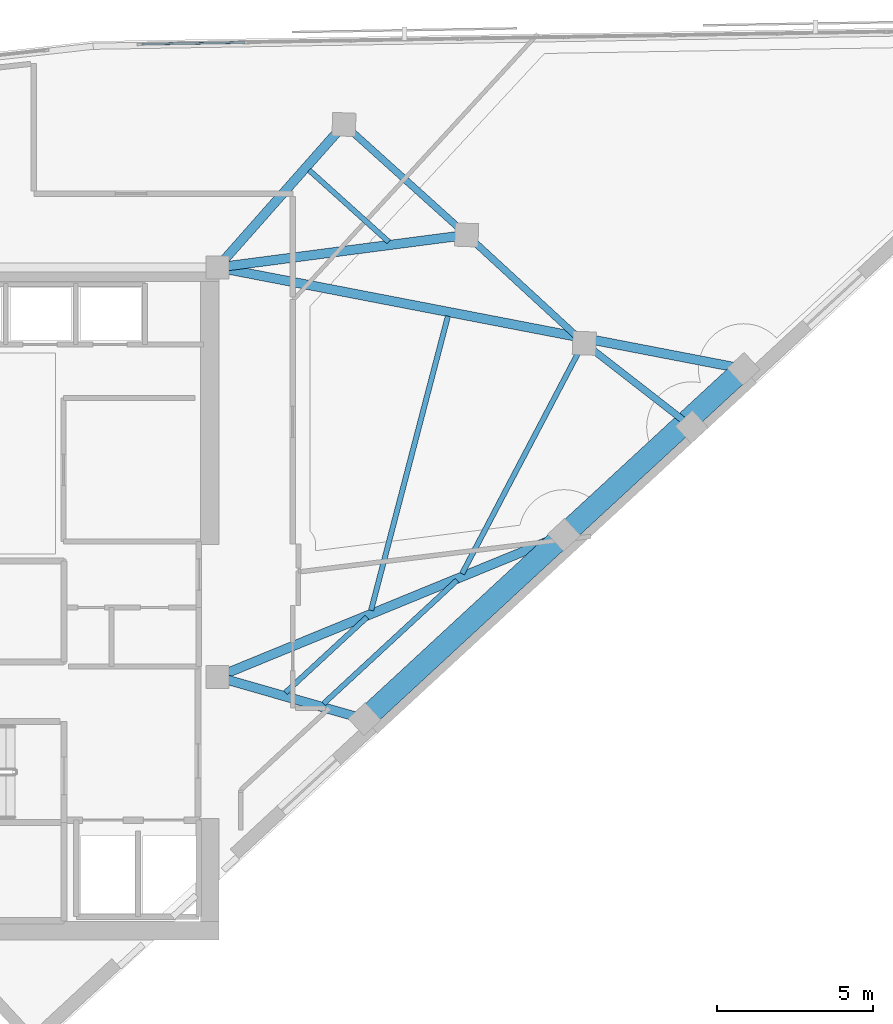
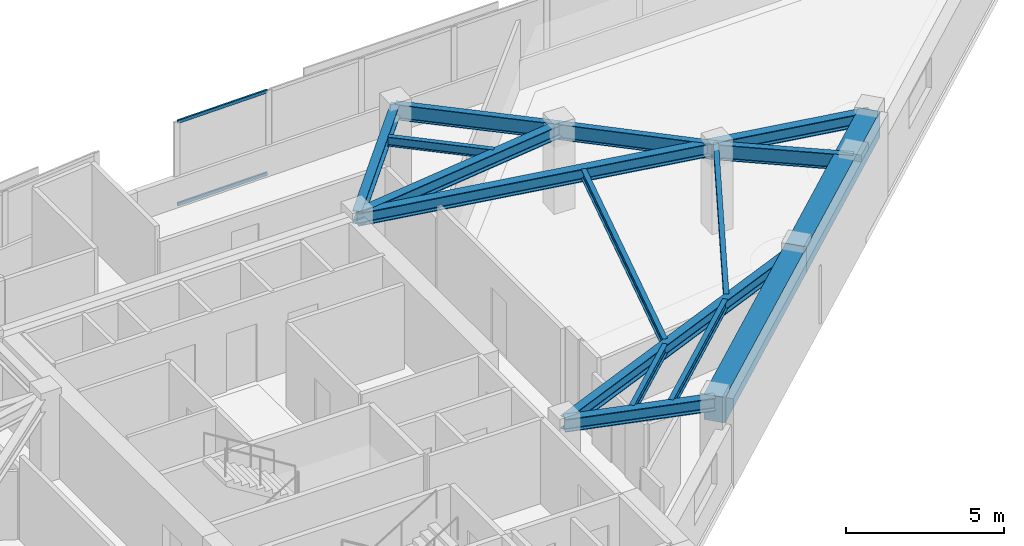
# One storey, part 4 of 12: 15 beams, 2 members, 1 element without a shape of its own.
"""IFC4 building model written with IfcOpenShell, lengths in metres."""

from ifc_helpers import new_model, si_unit, direction, frame, origin, origin_2d, place, context, subcontext, project, spatial, rectangle, hollow_rectangle, i_section, extrude, material, material_profile, profile_set, type_object, element, aggregate, save


model = new_model("IFC4")

# Units and contexts
model_context = context("Model", 3, precision=1e-05, world=origin(), true_north=direction((0.0, 1.0)))
body_context = subcontext(model_context, "Body", "Model", "MODEL_VIEW")
ifc_project = project(units=[si_unit("LENGTHUNIT", "METRE"), si_unit("AREAUNIT", "SQUARE_METRE"), si_unit("VOLUMEUNIT", "CUBIC_METRE"), si_unit("PLANEANGLEUNIT", "RADIAN"), si_unit("MASSUNIT", "GRAM", prefix="KILO")], contexts=[model_context])

# Site, building, storey
site_placement = place(None, origin())
site = spatial("IfcSite", under=ifc_project, at=site_placement, CompositionType="ELEMENT")
building_placement = place(site_placement, origin())
building = spatial("IfcBuilding", under=site, at=building_placement, Name="Narakoshi Arena Tower", CompositionType="ELEMENT")
storey_placement = place(building_placement, frame((0.0, 0.0, 267.780029296875)))
storey = spatial("IfcBuildingStorey", under=building, at=storey_placement, Name="L73", CompositionType="ELEMENT", Elevation=267.780029296875)

# Beams
ifc_material_1 = material(Name="Concrete C60/75", Category="concrete")
ifc_material_profile_1 = material_profile(ifc_material_1, rectangle(XDim=0.699951171875, YDim=1.0, at=origin_2d()), Name="RCB700x1000")
ifc_profile_set_1 = profile_set([ifc_material_profile_1], Name="Concrete C60/75")
beam_type_1 = type_object("IfcBeamType", Name="BM-CPL-1000", PredefinedType="BEAM", material=ifc_profile_set_1)
beam_1_placement = place(storey_placement, frame((90.2734375, 41.992919921875, 2.760009765625), z_axis=(0.734326819586, 0.678796082809, 0.0), x_axis=(-0.678796082809, 0.734326819586, 0.0)))
element("IfcBeam", 1, at=beam_1_placement, inside=storey, type_object=beam_type_1, Name="L73 Perimeter Edge Girder 01", PredefinedType="BEAM", context=body_context, shape_type="SweptSolid", body=[
    extrude(rectangle(XDim=0.699951171875, YDim=1.0, at=origin_2d()), origin(), (0.0, 0.0, 1.0), 8.72265625),
])
beam_2_placement = place(storey_placement, frame((96.6787109375, 47.913818359375, 2.760009765625), z_axis=(0.734333489286, 0.678788867405, 0.0), x_axis=(-0.678788867405, 0.734333489286, 0.0)))
element("IfcBeam", 2, at=beam_2_placement, inside=storey, type_object=beam_type_1, Name="L73 Perimeter Edge Girder 02", PredefinedType="BEAM", context=body_context, shape_type="SweptSolid", body=[
    extrude(rectangle(XDim=0.699951171875, YDim=1.0, at=origin_2d()), origin(), (0.0, 0.0, 1.0), 7.85009765625),
])
ifc_material_2 = material(Name="Structural steel S355J2", Category="steel")
ifc_material_profile_2 = material_profile(ifc_material_2, i_section(OverallWidth=0.219970703125, OverallDepth=0.60009765625, WebThickness=0.011962890625, FlangeThickness=0.01904296875, FilletRadius=0.02392578125, at=origin_2d()), Name="IPE600")
ifc_profile_set_2 = profile_set([ifc_material_profile_2], Name="Structural steel S355J2")
beam_type_2 = type_object("IfcBeamType", Name="BM-EDGE-600", PredefinedType="BEAM", material=ifc_profile_set_2)
beam_3_placement = place(storey_placement, frame((100.78173828125, 51.379638671875, 2.9599609375), z_axis=(-0.789307135535, 0.613998571491, 0.0), x_axis=(-0.613998571491, -0.789307135535, 0.0)))
element("IfcBeam", 3, at=beam_3_placement, inside=storey, type_object=beam_type_2, Name="L73 Perimeter Edge Girder 04", PredefinedType="BEAM", context=body_context, shape_type="SweptSolid", body=[
    extrude(i_section(OverallWidth=0.219970703125, OverallDepth=0.60009765625, WebThickness=0.011962890625, FlangeThickness=0.01904296875, FilletRadius=0.02392578125, at=origin_2d()), origin(), (0.0, 0.0, 1.0), 4.374267578125),
])
beam_4_placement = place(storey_placement, frame((97.3291015625, 54.0654296875, 2.9599609375), z_axis=(-0.735759504933, 0.677242903914, 0.0), x_axis=(-0.677242903914, -0.735759504933, 0.0)))
element("IfcBeam", 4, at=beam_4_placement, inside=storey, type_object=beam_type_2, Name="L73 Perimeter Edge Girder 05", PredefinedType="BEAM", context=body_context, shape_type="SweptSolid", body=[
    extrude(i_section(OverallWidth=0.219970703125, OverallDepth=0.60009765625, WebThickness=0.011962890625, FlangeThickness=0.01904296875, FilletRadius=0.02392578125, at=origin_2d()), origin(), (0.0, 0.0, 1.0), 5.135986328125),
])
beam_5_placement = place(storey_placement, frame((93.55029296875, 57.543701171875, 2.9599609375), z_axis=(-0.743147547665, 0.66912758305, 0.0), x_axis=(-0.66912758305, -0.743147547665, 0.0)))
element("IfcBeam", 5, at=beam_5_placement, inside=storey, type_object=beam_type_2, Name="L73 Perimeter Edge Girder 06", PredefinedType="BEAM", context=body_context, shape_type="SweptSolid", body=[
    extrude(i_section(OverallWidth=0.219970703125, OverallDepth=0.60009765625, WebThickness=0.011962890625, FlangeThickness=0.01904296875, FilletRadius=0.02392578125, at=origin_2d()), origin(), (0.0, 0.0, 1.0), 5.30029296875),
])
ifc_material_profile_3 = material_profile(ifc_material_2, i_section(OverallWidth=0.300048828125, OverallDepth=0.5, WebThickness=0.014404296875, FlangeThickness=0.028076171875, FilletRadius=0.027099609375, at=origin_2d()), Name="HE500B")
ifc_profile_set_3 = profile_set([ifc_material_profile_3], Name="Structural steel S355J2")
beam_type_3 = type_object("IfcBeamType", Name="BM-PRI-500", PredefinedType="BEAM", material=ifc_profile_set_3)
beam_6_placement = place(storey_placement, frame((85.550048828125, 43.35009765625, 3.010009765625), z_axis=(0.961112330887, -0.276157721993, 0.0), x_axis=(0.276157721993, 0.961112330887, 0.0)))
element("IfcBeam", 6, at=beam_6_placement, inside=storey, type_object=beam_type_3, Name="L73 Radial Primary Floor Girder 01", PredefinedType="BEAM", context=body_context, shape_type="SweptSolid", body=[
    extrude(i_section(OverallWidth=0.300048828125, OverallDepth=0.5, WebThickness=0.014404296875, FlangeThickness=0.028076171875, FilletRadius=0.027099609375, at=origin_2d()), origin(), (0.0, 0.0, 1.0), 4.91455078125),
])
beam_7_placement = place(storey_placement, frame((85.550048828125, 43.35009765625, 3.010009765625), z_axis=(0.925223618811, 0.379422265021, 0.0), x_axis=(-0.379422265021, 0.925223618811, 0.0)))
element("IfcBeam", 7, at=beam_7_placement, inside=storey, type_object=beam_type_3, Name="L73 Radial Primary Floor Girder 02", PredefinedType="BEAM", context=body_context, shape_type="SweptSolid", body=[
    extrude(i_section(OverallWidth=0.300048828125, OverallDepth=0.5, WebThickness=0.014404296875, FlangeThickness=0.028076171875, FilletRadius=0.027099609375, at=origin_2d()), origin(), (0.0, 0.0, 1.0), 12.028076171875),
])
beam_8_placement = place(storey_placement, frame((85.550048828125, 56.5, 3.010009765625), z_axis=(0.98191087483, -0.189343692505, 0.0), x_axis=(0.189343692505, 0.98191087483, 0.0)))
element("IfcBeam", 8, at=beam_8_placement, inside=storey, type_object=beam_type_3, Name="L73 Radial Primary Floor Girder 03", PredefinedType="BEAM", context=body_context, shape_type="SweptSolid", body=[
    extrude(i_section(OverallWidth=0.300048828125, OverallDepth=0.5, WebThickness=0.014404296875, FlangeThickness=0.028076171875, FilletRadius=0.027099609375, at=origin_2d()), origin(), (0.0, 0.0, 1.0), 17.20458984375),
])
beam_9_placement = place(storey_placement, frame((85.550048828125, 56.5, 3.010009765625), z_axis=(0.991597373641, 0.129362469783, 0.0), x_axis=(-0.129362469783, 0.991597373641, 0.0)))
element("IfcBeam", 9, at=beam_9_placement, inside=storey, type_object=beam_type_3, Name="L73 Radial Primary Floor Girder 06", PredefinedType="BEAM", context=body_context, shape_type="SweptSolid", body=[
    extrude(i_section(OverallWidth=0.300048828125, OverallDepth=0.5, WebThickness=0.014404296875, FlangeThickness=0.028076171875, FilletRadius=0.027099609375, at=origin_2d()), origin(), (0.0, 0.0, 1.0), 8.068115234375),
])
beam_10_placement = place(storey_placement, frame((85.550048828125, 56.5, 3.010009765625), z_axis=(0.662628886894, 0.748947900894, 0.0), x_axis=(-0.748947900894, 0.662628886894, 0.0)))
element("IfcBeam", 10, at=beam_10_placement, inside=storey, type_object=beam_type_3, Name="L73 Radial Primary Floor Girder 07", PredefinedType="BEAM", context=body_context, shape_type="SweptSolid", body=[
    extrude(i_section(OverallWidth=0.300048828125, OverallDepth=0.5, WebThickness=0.014404296875, FlangeThickness=0.028076171875, FilletRadius=0.027099609375, at=origin_2d()), origin(), (0.0, 0.0, 1.0), 6.129150390625),
])
ifc_material_profile_4 = material_profile(ifc_material_2, i_section(OverallWidth=0.169921875, OverallDepth=0.360107421875, WebThickness=0.008056640625, FlangeThickness=0.0126953125, FilletRadius=0.01806640625, at=origin_2d()), Name="IPE360")
ifc_profile_set_4 = profile_set([ifc_material_profile_4], Name="Structural steel S355J2")
beam_type_4 = type_object("IfcBeamType", Name="BM-SEC-360", PredefinedType="JOIST", material=ifc_profile_set_4)
beam_11_placement = place(storey_placement, frame((87.7275390625, 42.844482421875, 3.080078125), z_axis=(0.734310037917, 0.678814236897, 0.0), x_axis=(-0.678814236897, 0.734310037917, 0.0)))
element("IfcBeam", 11, at=beam_11_placement, inside=storey, type_object=beam_type_4, Name="L73 Composite Secondary Floor Joist 01", PredefinedType="JOIST", context=body_context, shape_type="SweptSolid", body=[
    extrude(i_section(OverallWidth=0.169921875, OverallDepth=0.360107421875, WebThickness=0.008056640625, FlangeThickness=0.0126953125, FilletRadius=0.01806640625, at=origin_2d()), origin(), (0.0, 0.0, 1.0), 3.56787109375),
])
beam_12_placement = place(storey_placement, frame((88.95556640625, 42.49169921875, 3.080078125), z_axis=(0.734339740284, 0.678782104832, 0.0), x_axis=(-0.678782104832, 0.734339740284, 0.0)))
element("IfcBeam", 12, at=beam_12_placement, inside=storey, type_object=beam_type_4, Name="L73 Composite Secondary Floor Joist 02", PredefinedType="JOIST", context=body_context, shape_type="SweptSolid", body=[
    extrude(i_section(OverallWidth=0.169921875, OverallDepth=0.360107421875, WebThickness=0.008056640625, FlangeThickness=0.0126953125, FilletRadius=0.01806640625, at=origin_2d()), origin(), (0.0, 0.0, 1.0), 5.835693359375),
])
beam_13_placement = place(storey_placement, frame((90.480712890625, 45.48876953125, 3.080078125), z_axis=(0.252782191018, 0.967523211042, 0.0), x_axis=(-0.967523211042, 0.252782191018, 0.0)))
element("IfcBeam", 13, at=beam_13_placement, inside=storey, type_object=beam_type_4, Name="L73 Composite Secondary Floor Joist 03", PredefinedType="JOIST", context=body_context, shape_type="SweptSolid", body=[
    extrude(i_section(OverallWidth=0.169921875, OverallDepth=0.360107421875, WebThickness=0.008056640625, FlangeThickness=0.0126953125, FilletRadius=0.01806640625, at=origin_2d()), origin(), (0.0, 0.0, 1.0), 9.764404296875),
])
beam_14_placement = place(storey_placement, frame((93.40283203125, 46.664306640625, 3.080078125), z_axis=(0.465370309963, 0.885116079734, 0.0), x_axis=(-0.885116079734, 0.465370309963, 0.0)))
element("IfcBeam", 14, at=beam_14_placement, inside=storey, type_object=beam_type_4, Name="L73 Composite Secondary Floor Joist 04", PredefinedType="JOIST", context=body_context, shape_type="SweptSolid", body=[
    extrude(i_section(OverallWidth=0.169921875, OverallDepth=0.360107421875, WebThickness=0.008056640625, FlangeThickness=0.0126953125, FilletRadius=0.01806640625, at=origin_2d()), origin(), (0.0, 0.0, 1.0), 8.401123046875),
])
beam_15_placement = place(storey_placement, frame((91.050048828125, 57.32080078125, 3.080078125), z_axis=(-0.743145924769, 0.66912938547, 0.0), x_axis=(-0.66912938547, -0.743145924769, 0.0)))
element("IfcBeam", 15, at=beam_15_placement, inside=storey, type_object=beam_type_4, Name="L73 Composite Secondary Floor Joist 05", PredefinedType="JOIST", context=body_context, shape_type="SweptSolid", body=[
    extrude(i_section(OverallWidth=0.169921875, OverallDepth=0.360107421875, WebThickness=0.008056640625, FlangeThickness=0.0126953125, FilletRadius=0.01806640625, at=origin_2d()), origin(), (0.0, 0.0, 1.0), 3.440185546875),
])

# Curtain wall, members
ifc_material_3 = material(Name="Anodised bronze aluminium 6063-T6", Category="aluminium")
curtain_wall_type = type_object("IfcCurtainWallType", Name="CW-HYP-HIGH", PredefinedType="NOTDEFINED", material=ifc_material_3)
curtain_wall_placement = place(storey_placement, origin())
curtain_wall = element("IfcCurtainWall", 16, at=curtain_wall_placement, inside=storey, type_object=curtain_wall_type, Name="L73 Folded Hypotenuse Curtain Wall 1-1", PredefinedType="NOTDEFINED")
ifc_material_profile_5 = material_profile(ifc_material_3, hollow_rectangle(XDim=0.06494140625, YDim=0.1298828125, WallThickness=0.00390625, OuterFilletRadius=0.0048828125, at=origin_2d()), Name="TRN130x65x4")
ifc_profile_set_5 = profile_set([ifc_material_profile_5], Name="Anodised bronze aluminium 6063-T6")
member_type = type_object("IfcMemberType", Name="MEM-TRN-130", PredefinedType="USERDEFINED", material=ifc_profile_set_5)
member_1_placement = place(storey_placement, frame((86.427978515625, 63.72314453125, 0.032470703125), z_axis=(-0.999864541825, -0.016458979318, 0.0), x_axis=(0.016458979318, -0.999864541825, 0.0)))
member_1 = element("IfcMember", 17, at=member_1_placement, type_object=member_type, Name="CW-03 transom 8.1", ObjectType="TRANSOM", PredefinedType="USERDEFINED", context=body_context, shape_type="SweptSolid", body=[
    extrude(hollow_rectangle(XDim=0.06494140625, YDim=0.1298828125, WallThickness=0.00390625, OuterFilletRadius=0.0048828125, at=origin_2d()), origin(), (0.0, 0.0, 1.0), 3.307861328125),
])
member_2_placement = place(storey_placement, frame((86.427978515625, 63.72314453125, 3.2275390625), z_axis=(-0.999864541825, -0.016458979318, 0.0), x_axis=(0.016458979318, -0.999864541825, 0.0)))
member_2 = element("IfcMember", 18, at=member_2_placement, type_object=member_type, Name="CW-03 transom 8.2", ObjectType="TRANSOM", PredefinedType="USERDEFINED", context=body_context, shape_type="SweptSolid", body=[
    extrude(hollow_rectangle(XDim=0.06494140625, YDim=0.1298828125, WallThickness=0.00390625, OuterFilletRadius=0.0048828125, at=origin_2d()), origin(), (0.0, 0.0, 1.0), 3.307861328125),
])
aggregate(curtain_wall, [member_1, member_2])

save(model, "model.ifc")
